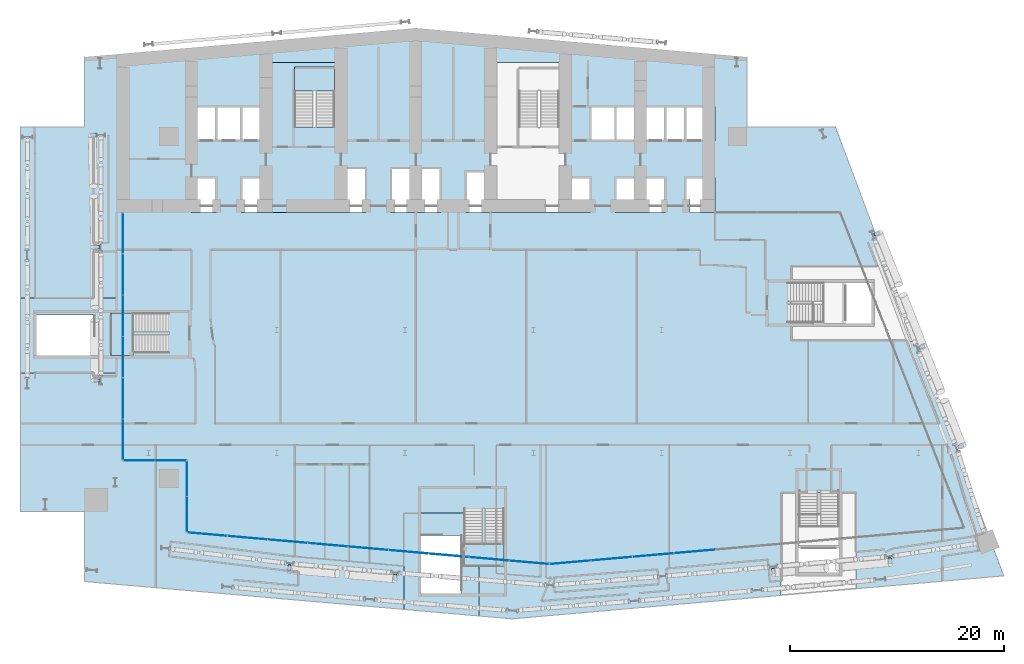
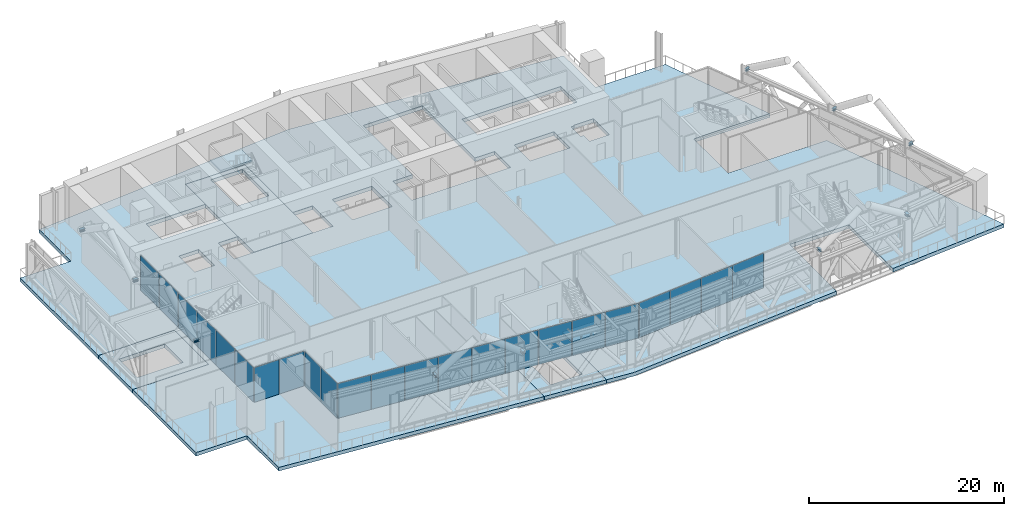
# One storey, part 13 of 39: 23 plates, 10 members, 7 slabs, 8 elements without a shape of their own.
"""IFC4 building model written with IfcOpenShell, lengths in metres."""

from ifc_helpers import new_model, si_unit, direction, frame, origin, origin_2d, place, context, subcontext, project, spatial, polyline, rectangle, i_section, outline, extrude, material, layer, layer_set, material_profile, profile_set, type_object, element, aggregate, save


model = new_model("IFC4")

# Units and contexts
model_context = context("Model", 3, precision=1e-05, world=origin(), true_north=direction((0.0, 1.0)))
body_context = subcontext(model_context, "Body", "Model", "MODEL_VIEW")
ifc_project = project(units=[si_unit("LENGTHUNIT", "METRE"), si_unit("AREAUNIT", "SQUARE_METRE"), si_unit("VOLUMEUNIT", "CUBIC_METRE"), si_unit("PLANEANGLEUNIT", "RADIAN"), si_unit("MASSUNIT", "GRAM", prefix="KILO")], contexts=[model_context])

# Site, building, storey
site_placement = place(None, origin())
site = spatial("IfcSite", under=ifc_project, at=site_placement, CompositionType="ELEMENT")
building_placement = place(site_placement, origin())
building = spatial("IfcBuilding", under=site, at=building_placement, Name="Wharfspan Tower", CompositionType="ELEMENT")
storey_placement = place(building_placement, frame((0.0, 0.0, 91.899902)))
storey = spatial("IfcBuildingStorey", under=building, at=storey_placement, Name="L20", CompositionType="ELEMENT", Elevation=91.899902)

# Members
ifc_material_1 = material(Name="Steel S355J2", Category="steel")
ifc_material_profile = material_profile(ifc_material_1, i_section(OverallWidth=0.300049, OverallDepth=0.300049, WebThickness=0.010986, FlangeThickness=0.019043, FilletRadius=0.0271, at=origin_2d()))
ifc_profile_set = profile_set([ifc_material_profile], Name="Steel S355J2")
member_type = type_object("IfcMemberType", Name="Brace node stub HEB 300", PredefinedType="STRUT", material=ifc_profile_set)
for number, where, z_axis, x_axis, name in (
    (1, (25.200684, 1.000732, 4.100098), (-0.086857, -0.996221, 0.0), (0.996221, -0.086857, 0.0), "Brace node stub L21 S1 A"),
    (2, (35.076172, 0.136719, 4.100098), (-0.086857, -0.996221, 0.0), (0.996221, -0.086857, 0.0), "Brace node stub L21 S1 B"),
    (3, (70.416992, 0.704834, 4.100098), (0.087292, -0.996183, 0.0), (0.996183, 0.087292, 0.0), "Brace node stub L21 S2 A"),
    (4, (81.34082, 1.6604, 4.100098), (0.087292, -0.996183, 0.0), (0.996183, 0.087292, 0.0), "Brace node stub L21 S2 B"),
    (5, (7.391602, 30.733398, 4.100098), (-1.0, 0.0, 0.0), (0.0, -1.0, 0.0), "Brace node stub L21 W A"),
    (6, (7.391602, 18.266602, 4.100098), (-1.0, 0.0, 0.0), (0.0, -1.0, 0.0), "Brace node stub L21 W B"),
    (7, (7.140625, 41.208008, 4.100098), (-1.0, 0.0, 0.0), (0.0, -1.0, 0.0), "Brace node stub L21 W A"),
):
    element("IfcMember", number, at=place(storey_placement, frame(where, z_axis=z_axis, x_axis=x_axis)), inside=storey, type_object=member_type, Name=name, PredefinedType="STRUT", context=body_context, shape_type="SweptSolid", body=[
        extrude(i_section(OverallWidth=0.300049, OverallDepth=0.300049, WebThickness=0.010986, FlangeThickness=0.019043, FilletRadius=0.0271, at=origin_2d()), origin(), (0.0, 0.0, 1.0), 0.556641),
    ])
for number, where, z_axis, x_axis, name in (
    (8, (84.070801, 21.30542, 4.100098), (0.930789, 0.365557, 0.0), (-0.365557, 0.930789, 0.0), "Brace node stub L21 E A"),
    (9, (79.904297, 31.906738, 4.100098), (0.930639, 0.365937, 0.0), (-0.365937, 0.930639, 0.0), "Brace node stub L21 E B"),
):
    element("IfcMember", number, at=place(storey_placement, frame(where, z_axis=z_axis, x_axis=x_axis)), inside=storey, type_object=member_type, Name=name, PredefinedType="STRUT", context=body_context, shape_type="SweptSolid", body=[
        extrude(i_section(OverallWidth=0.300049, OverallDepth=0.300049, WebThickness=0.010986, FlangeThickness=0.019043, FilletRadius=0.0271, at=origin_2d()), origin(), (0.0, 0.0, 1.0), 0.556396),
    ])
member_placement = place(storey_placement, frame((87.725098, 12.006836, 4.100098), z_axis=(0.930698, 0.365788, 0.0), x_axis=(-0.365788, 0.930698, 0.0)))
element("IfcMember", 10, at=member_placement, inside=storey, type_object=member_type, Name="Brace node stub L21 E A", PredefinedType="STRUT", context=body_context, shape_type="SweptSolid", body=[
    extrude(i_section(OverallWidth=0.300049, OverallDepth=0.300049, WebThickness=0.010986, FlangeThickness=0.019043, FilletRadius=0.0271, at=origin_2d()), origin(), (0.0, 0.0, 1.0), 0.556641),
])

# Curtain wall, plates
ifc_material_2 = material(Name="Aluminium 6063-T6", Category="aluminium")
curtain_wall_type = type_object("IfcCurtainWallType", Name="CURTAIN WALL BAND RECESS", PredefinedType="NOTDEFINED", material=ifc_material_2)
curtain_wall_1_placement = place(storey_placement, origin())
curtain_wall_1 = element("IfcCurtainWall", 11, at=curtain_wall_1_placement, inside=storey, type_object=curtain_wall_type, Name="Recess glazing R1", PredefinedType="NOTDEFINED")
ifc_material_3 = material(Name="Glass clear low-iron double glazing", Category="glass")
ifc_layer_1 = layer(ifc_material_3, 0.035889)
ifc_layer_set_1 = layer_set([ifc_layer_1], Name="Glass clear low-iron double glazing")
plate_type = type_object("IfcPlateType", Name="GLASS PANEL BAND RECESS 36", PredefinedType="CURTAIN_PANEL", material=ifc_layer_set_1)
plate_1_placement = place(storey_placement, frame((14.084961, 10.800049, 0.0), z_axis=(0.0, 0.0, 1.0), x_axis=(-1.0, 0.0, 0.0)))
plate_1 = element("IfcPlate", 12, at=plate_1_placement, type_object=plate_type, Name="Recess glazing R1 panel 1", PredefinedType="CURTAIN_PANEL", context=body_context, shape_type="SweptSolid", body=[
    extrude(rectangle(XDim=2.909912, YDim=0.035889, at=origin_2d()), origin(), (0.0, 0.0, 1.0), 4.330078),
])
plate_2_placement = place(storey_placement, frame((11.11499, 10.800049, 0.0), z_axis=(0.0, 0.0, 1.0), x_axis=(-1.0, 0.0, 0.0)))
plate_2 = element("IfcPlate", 13, at=plate_2_placement, type_object=plate_type, Name="Recess glazing R1 panel 2", PredefinedType="CURTAIN_PANEL", context=body_context, shape_type="SweptSolid", body=[
    extrude(rectangle(XDim=2.909912, YDim=0.035889, at=origin_2d()), origin(), (0.0, 0.0, 1.0), 4.330078),
])
aggregate(curtain_wall_1, [plate_1, plate_2])

curtain_wall_2_placement = place(storey_placement, origin())
curtain_wall_2 = element("IfcCurtainWall", 14, at=curtain_wall_2_placement, inside=storey, type_object=curtain_wall_type, Name="Recess glazing R2", PredefinedType="NOTDEFINED")
plate_3_placement = place(storey_placement, frame((9.600098, 12.748291, 0.0), z_axis=(0.0, 0.0, 1.0), x_axis=(0.0, 1.0, 0.0)))
plate_3 = element("IfcPlate", 15, at=plate_3_placement, type_object=plate_type, Name="Recess glazing R2 panel 1", PredefinedType="CURTAIN_PANEL", context=body_context, shape_type="SweptSolid", body=[
    extrude(rectangle(XDim=3.776611, YDim=0.035889, at=origin_2d()), origin(), (0.0, 0.0, 1.0), 4.330078),
])
plate_4_placement = place(storey_placement, frame((9.600098, 16.600098, 0.0), z_axis=(0.0, 0.0, 1.0), x_axis=(0.0, 1.0, 0.0)))
plate_4 = element("IfcPlate", 16, at=plate_4_placement, type_object=plate_type, Name="Recess glazing R2 panel 2", PredefinedType="CURTAIN_PANEL", context=body_context, shape_type="SweptSolid", body=[
    extrude(rectangle(XDim=3.806641, YDim=0.035889, at=origin_2d()), origin(), (0.0, 0.0, 1.0), 4.330078),
])
plate_5_placement = place(storey_placement, frame((9.600098, 20.466553, 0.0), z_axis=(0.0, 0.0, 1.0), x_axis=(0.0, 1.0, 0.0)))
plate_5 = element("IfcPlate", 17, at=plate_5_placement, type_object=plate_type, Name="Recess glazing R2 panel 3", PredefinedType="CURTAIN_PANEL", context=body_context, shape_type="SweptSolid", body=[
    extrude(rectangle(XDim=3.806641, YDim=0.035889, at=origin_2d()), origin(), (0.0, 0.0, 1.0), 4.330078),
])
plate_6_placement = place(storey_placement, frame((9.600098, 24.333252, 0.0), z_axis=(0.0, 0.0, 1.0), x_axis=(0.0, 1.0, 0.0)))
plate_6 = element("IfcPlate", 18, at=plate_6_placement, type_object=plate_type, Name="Recess glazing R2 panel 4", PredefinedType="CURTAIN_PANEL", context=body_context, shape_type="SweptSolid", body=[
    extrude(rectangle(XDim=3.806641, YDim=0.035889, at=origin_2d()), origin(), (0.0, 0.0, 1.0), 4.330078),
])
plate_7_placement = place(storey_placement, frame((9.600098, 28.199951, 0.0), z_axis=(0.0, 0.0, 1.0), x_axis=(0.0, 1.0, 0.0)))
plate_7 = element("IfcPlate", 19, at=plate_7_placement, type_object=plate_type, Name="Recess glazing R2 panel 5", PredefinedType="CURTAIN_PANEL", context=body_context, shape_type="SweptSolid", body=[
    extrude(rectangle(XDim=3.806641, YDim=0.035889, at=origin_2d()), origin(), (0.0, 0.0, 1.0), 4.330078),
])
plate_8_placement = place(storey_placement, frame((9.600098, 32.051758, 0.0), z_axis=(0.0, 0.0, 1.0), x_axis=(0.0, 1.0, 0.0)))
plate_8 = element("IfcPlate", 20, at=plate_8_placement, type_object=plate_type, Name="Recess glazing R2 panel 6", PredefinedType="CURTAIN_PANEL", context=body_context, shape_type="SweptSolid", body=[
    extrude(rectangle(XDim=3.776611, YDim=0.035889, at=origin_2d()), origin(), (0.0, 0.0, 1.0), 4.330078),
])
aggregate(curtain_wall_2, [plate_3, plate_4, plate_5, plate_6, plate_7, plate_8])

curtain_wall_3_placement = place(storey_placement, origin())
curtain_wall_3 = element("IfcCurtainWall", 21, at=curtain_wall_3_placement, inside=storey, type_object=curtain_wall_type, Name="Recess glazing R5", PredefinedType="NOTDEFINED")
plate_9_placement = place(storey_placement, frame((63.082764, 2.280029, 0.0), z_axis=(0.0, 0.0, 1.0), x_axis=(-0.996198, -0.087156, 0.0)))
plate_9 = element("IfcPlate", 22, at=plate_9_placement, type_object=plate_type, Name="Recess glazing R5 panel 7", PredefinedType="CURTAIN_PANEL", context=body_context, shape_type="SweptSolid", body=[
    extrude(rectangle(XDim=3.835693, YDim=0.035889, at=origin_2d()), origin(), (0.0, 0.0, 1.0), 4.330078),
])
plate_10_placement = place(storey_placement, frame((59.201904, 1.94043, 0.0), z_axis=(0.0, 0.0, 1.0), x_axis=(-0.996198, -0.087156, 0.0)))
plate_10 = element("IfcPlate", 23, at=plate_10_placement, type_object=plate_type, Name="Recess glazing R5 panel 8", PredefinedType="CURTAIN_PANEL", context=body_context, shape_type="SweptSolid", body=[
    extrude(rectangle(XDim=3.835693, YDim=0.035889, at=origin_2d()), origin(), (0.0, 0.0, 1.0), 4.330078),
])
plate_11_placement = place(storey_placement, frame((55.321045, 1.60083, 0.0), z_axis=(0.0, 0.0, 1.0), x_axis=(-0.996198, -0.087156, 0.0)))
plate_11 = element("IfcPlate", 24, at=plate_11_placement, type_object=plate_type, Name="Recess glazing R5 panel 9", PredefinedType="CURTAIN_PANEL", context=body_context, shape_type="SweptSolid", body=[
    extrude(rectangle(XDim=3.835693, YDim=0.035889, at=origin_2d()), origin(), (0.0, 0.0, 1.0), 4.330078),
])
plate_12_placement = place(storey_placement, frame((51.455322, 1.262695, 0.0), z_axis=(0.0, 0.0, 1.0), x_axis=(-0.996198, -0.087156, 0.0)))
plate_12 = element("IfcPlate", 25, at=plate_12_placement, type_object=plate_type, Name="Recess glazing R5 panel 10", PredefinedType="CURTAIN_PANEL", context=body_context, shape_type="SweptSolid", body=[
    extrude(rectangle(XDim=3.805664, YDim=0.035889, at=origin_2d()), origin(), (0.0, 0.0, 1.0), 4.330078),
])
aggregate(curtain_wall_3, [plate_9, plate_10, plate_11, plate_12])

curtain_wall_4_placement = place(storey_placement, origin())
curtain_wall_4 = element("IfcCurtainWall", 26, at=curtain_wall_4_placement, inside=storey, type_object=curtain_wall_type, Name="Recess glazing R6", PredefinedType="NOTDEFINED")
plate_13_placement = place(storey_placement, frame((47.601807, 1.257812, 0.0), z_axis=(0.0, 0.0, 1.0), x_axis=(-0.996198, 0.087156, 0.0)))
plate_13 = element("IfcPlate", 27, at=plate_13_placement, type_object=plate_type, Name="Recess glazing R6 panel 1", PredefinedType="CURTAIN_PANEL", context=body_context, shape_type="SweptSolid", body=[
    extrude(rectangle(XDim=3.691162, YDim=0.035889, at=origin_2d()), origin(), (0.0, 0.0, 1.0), 4.330078),
])
plate_14_placement = place(storey_placement, frame((43.850098, 1.585938, 0.0), z_axis=(0.0, 0.0, 1.0), x_axis=(-0.996198, 0.087156, 0.0)))
plate_14 = element("IfcPlate", 28, at=plate_14_placement, type_object=plate_type, Name="Recess glazing R6 panel 2", PredefinedType="CURTAIN_PANEL", context=body_context, shape_type="SweptSolid", body=[
    extrude(rectangle(XDim=3.720947, YDim=0.035889, at=origin_2d()), origin(), (0.0, 0.0, 1.0), 4.330078),
])
plate_15_placement = place(storey_placement, frame((40.083252, 1.915527, 0.0), z_axis=(0.0, 0.0, 1.0), x_axis=(-0.996198, 0.087156, 0.0)))
plate_15 = element("IfcPlate", 29, at=plate_15_placement, type_object=plate_type, Name="Recess glazing R6 panel 3", PredefinedType="CURTAIN_PANEL", context=body_context, shape_type="SweptSolid", body=[
    extrude(rectangle(XDim=3.720947, YDim=0.035889, at=origin_2d()), origin(), (0.0, 0.0, 1.0), 4.330078),
])
plate_16_placement = place(storey_placement, frame((36.31665, 2.245117, 0.0), z_axis=(0.0, 0.0, 1.0), x_axis=(-0.996198, 0.087156, 0.0)))
plate_16 = element("IfcPlate", 30, at=plate_16_placement, type_object=plate_type, Name="Recess glazing R6 panel 4", PredefinedType="CURTAIN_PANEL", context=body_context, shape_type="SweptSolid", body=[
    extrude(rectangle(XDim=3.720947, YDim=0.035889, at=origin_2d()), origin(), (0.0, 0.0, 1.0), 4.330078),
])
plate_17_placement = place(storey_placement, frame((32.550049, 2.574707, 0.0), z_axis=(0.0, 0.0, 1.0), x_axis=(-0.996198, 0.087156, 0.0)))
plate_17 = element("IfcPlate", 31, at=plate_17_placement, type_object=plate_type, Name="Recess glazing R6 panel 5", PredefinedType="CURTAIN_PANEL", context=body_context, shape_type="SweptSolid", body=[
    extrude(rectangle(XDim=3.720947, YDim=0.035889, at=origin_2d()), origin(), (0.0, 0.0, 1.0), 4.330078),
])
plate_18_placement = place(storey_placement, frame((28.783447, 2.904053, 0.0), z_axis=(0.0, 0.0, 1.0), x_axis=(-0.996198, 0.087156, 0.0)))
plate_18 = element("IfcPlate", 32, at=plate_18_placement, type_object=plate_type, Name="Recess glazing R6 panel 6", PredefinedType="CURTAIN_PANEL", context=body_context, shape_type="SweptSolid", body=[
    extrude(rectangle(XDim=3.720947, YDim=0.035889, at=origin_2d()), origin(), (0.0, 0.0, 1.0), 4.330078),
])
plate_19_placement = place(storey_placement, frame((25.016602, 3.233643, 0.0), z_axis=(0.0, 0.0, 1.0), x_axis=(-0.996198, 0.087156, 0.0)))
plate_19 = element("IfcPlate", 33, at=plate_19_placement, type_object=plate_type, Name="Recess glazing R6 panel 7", PredefinedType="CURTAIN_PANEL", context=body_context, shape_type="SweptSolid", body=[
    extrude(rectangle(XDim=3.720947, YDim=0.035889, at=origin_2d()), origin(), (0.0, 0.0, 1.0), 4.330078),
])
plate_20_placement = place(storey_placement, frame((21.25, 3.563232, 0.0), z_axis=(0.0, 0.0, 1.0), x_axis=(-0.996198, 0.087156, 0.0)))
plate_20 = element("IfcPlate", 34, at=plate_20_placement, type_object=plate_type, Name="Recess glazing R6 panel 8", PredefinedType="CURTAIN_PANEL", context=body_context, shape_type="SweptSolid", body=[
    extrude(rectangle(XDim=3.720947, YDim=0.035889, at=origin_2d()), origin(), (0.0, 0.0, 1.0), 4.330078),
])
plate_21_placement = place(storey_placement, frame((17.498291, 3.891357, 0.0), z_axis=(0.0, 0.0, 1.0), x_axis=(-0.996198, 0.087156, 0.0)))
plate_21 = element("IfcPlate", 35, at=plate_21_placement, type_object=plate_type, Name="Recess glazing R6 panel 9", PredefinedType="CURTAIN_PANEL", context=body_context, shape_type="SweptSolid", body=[
    extrude(rectangle(XDim=3.691162, YDim=0.035889, at=origin_2d()), origin(), (0.0, 0.0, 1.0), 4.330078),
])
aggregate(curtain_wall_4, [plate_13, plate_14, plate_15, plate_16, plate_17, plate_18, plate_19, plate_20, plate_21])

curtain_wall_5_placement = place(storey_placement, origin())
curtain_wall_5 = element("IfcCurtainWall", 36, at=curtain_wall_5_placement, inside=storey, type_object=curtain_wall_type, Name="Recess glazing R7", PredefinedType="NOTDEFINED")
plate_22_placement = place(storey_placement, frame((15.600098, 5.758057, 0.0), z_axis=(0.0, 0.0, 1.0), x_axis=(0.0, 1.0, 0.0)))
plate_22 = element("IfcPlate", 37, at=plate_22_placement, type_object=plate_type, Name="Recess glazing R7 panel 1", PredefinedType="CURTAIN_PANEL", context=body_context, shape_type="SweptSolid", body=[
    extrude(rectangle(XDim=3.28125, YDim=0.035889, at=origin_2d()), origin(), (0.0, 0.0, 1.0), 4.330078),
])
plate_23_placement = place(storey_placement, frame((15.600098, 9.099365, 0.0), z_axis=(0.0, 0.0, 1.0), x_axis=(0.0, 1.0, 0.0)))
plate_23 = element("IfcPlate", 38, at=plate_23_placement, type_object=plate_type, Name="Recess glazing R7 panel 2", PredefinedType="CURTAIN_PANEL", context=body_context, shape_type="SweptSolid", body=[
    extrude(rectangle(XDim=3.28125, YDim=0.035889, at=origin_2d()), origin(), (0.0, 0.0, 1.0), 4.330078),
])
aggregate(curtain_wall_5, [plate_22, plate_23])

# Slabs
ifc_material_4 = material(Name="Concrete C40/50", Category="concrete")
ifc_layer_2 = layer(ifc_material_4, 0.449951)
ifc_layer_set_2 = layer_set([ifc_layer_2], Name="Concrete C40/50")
slab_type_1 = type_object("IfcSlabType", Name="Post-tensioned band slab 450", PredefinedType="FLOOR", material=ifc_layer_set_2)
slab_1_placement = place(storey_placement, frame((0.0, 0.0, -0.450195)))
element("IfcSlab", 39, at=slab_1_placement, inside=storey, type_object=slab_type_1, Name="Floor slab L20", PredefinedType="FLOOR", context=body_context, shape_type="SweptSolid", body=[
    extrude(outline(polyline([(35.873291, -3.138428), (35.873291, 5.870605), (42.893311, 5.870605), (42.893311, -3.752686), (46.0, -4.024414), (71.182617, -1.821289), (71.182617, 7.802002), (78.202393, 7.802002), (78.202393, -1.207031), (92.0, 0.0), (83.753662, 21.98999), (72.11499, 21.98999), (72.11499, 29.01001), (81.121338, 29.01001), (76.25, 42.0), (68.0, 42.0), (68.0, 48.524902), (37.0, 51.237061), (6.0, 48.524902), (6.0, 42.0), (0.0, 42.0), (0.0, 26.01001), (9.01001, 26.01001), (9.01001, 18.98999), (0.0, 18.98999), (0.0, 6.0), (6.0, 6.0), (6.0, -0.524902), (35.873291, -3.138428)]), holes=[polyline([(62.290039, 37.159912), (62.656738, 37.159912), (62.656738, 37.26001), (65.01001, 37.26001), (65.01001, 33.98999), (62.656738, 33.98999), (62.656738, 35.189941), (62.290039, 35.189941), (62.290039, 37.159912)]), polyline([(65.01001, 43.909912), (65.01001, 40.689941), (53.323242, 40.689941), (53.323242, 43.909912), (65.01001, 43.909912)]), polyline([(55.656738, 33.98999), (55.656738, 37.26001), (60.343262, 37.26001), (60.343262, 33.98999), (55.656738, 33.98999)]), polyline([(43.98999, 37.860107), (43.98999, 48.01001), (51.01001, 48.01001), (51.01001, 37.26001), (53.343262, 37.26001), (53.343262, 33.98999), (41.656738, 33.98999), (41.656738, 37.860107), (43.98999, 37.860107)]), polyline([(34.656738, 33.98999), (34.656738, 38.159912), (39.343262, 38.159912), (39.343262, 33.98999), (34.656738, 33.98999)]), polyline([(15.98999, 40.689941), (15.98999, 43.909912), (20.656738, 43.909912), (20.676758, 43.909912), (22.98999, 43.909912), (22.98999, 48.01001), (30.01001, 48.01001), (30.01001, 38.159912), (32.343262, 38.159912), (32.343262, 33.98999), (20.656738, 33.98999), (20.656738, 37.26001), (22.98999, 37.26001), (22.98999, 40.689941), (20.676758, 40.689941), (20.656738, 40.689941), (15.98999, 40.689941)]), polyline([(18.343262, 37.26001), (18.343262, 33.98999), (15.98999, 33.98999), (15.98999, 37.26001), (18.343262, 37.26001)])]), origin(), (0.0, 0.0, 1.0), 0.450195),
])
ifc_layer_3 = layer(ifc_material_4, 0.449951)
ifc_layer_set_3 = layer_set([ifc_layer_3], Name="Concrete C40/50")
slab_type_2 = type_object("IfcSlabType", Name="Post-tensioned flat slab 450", PredefinedType="FLOOR", material=ifc_layer_set_3)
slab_2_placement = place(storey_placement, frame((0.0, 0.0, -0.450195)))
element("IfcSlab", 40, at=slab_2_placement, inside=storey, type_object=slab_type_2, Name="Core floor slab L20 part 1", PredefinedType="FLOOR", context=body_context, shape_type="SweptSolid", body=[
    extrude(outline(polyline([(9.008057, 20.524902), (9.008057, 24.875), (9.0, 24.875), (9.0, 26.0), (0.0, 26.0), (0.0, 19.0), (9.0, 19.0), (9.0, 20.324951), (9.0, 20.524902), (9.008057, 20.524902)]), holes=[polyline([(6.9021, 20.625), (6.9021, 20.624756), (6.9021, 20.624512), (6.901855, 20.624512), (6.901855, 20.624268), (6.901855, 20.624023), (6.901611, 20.623779), (6.901611, 20.623779), (6.901367, 20.623535), (6.901367, 20.623535), (6.901123, 20.623291), (6.900879, 20.623291), (6.900879, 20.623291), (6.900635, 20.623047), (6.900391, 20.623047), (6.900146, 20.623047), (6.899902, 20.623047), (1.5, 20.623047), (1.499756, 20.623047), (1.499512, 20.623047), (1.499512, 20.623047), (1.499268, 20.623291), (1.499023, 20.623291), (1.498779, 20.623291), (1.498779, 20.623535), (1.498535, 20.623535), (1.498535, 20.623779), (1.498291, 20.623779), (1.498291, 20.624023), (1.498291, 20.624268), (1.498047, 20.624512), (1.498047, 20.624512), (1.498047, 20.624756), (1.498047, 20.625), (1.498047, 24.375), (1.498047, 24.375244), (1.498047, 24.375488), (1.498047, 24.375488), (1.498291, 24.375732), (1.498291, 24.375977), (1.498291, 24.376221), (1.498535, 24.376221), (1.498535, 24.376465), (1.498779, 24.376465), (1.498779, 24.376709), (1.499023, 24.376709), (1.499268, 24.376709), (1.499512, 24.376953), (1.499512, 24.376953), (1.499756, 24.376953), (1.5, 24.376953), (6.899902, 24.376953), (6.900146, 24.376953), (6.900391, 24.376953), (6.900635, 24.376953), (6.900879, 24.376709), (6.900879, 24.376709), (6.901123, 24.376709), (6.901367, 24.376465), (6.901367, 24.376465), (6.901611, 24.376221), (6.901611, 24.376221), (6.901855, 24.375977), (6.901855, 24.375732), (6.901855, 24.375488), (6.9021, 24.375488), (6.9021, 24.375244), (6.9021, 24.375), (6.9021, 20.625)])]), origin(), (0.0, 0.0, 1.0), 0.450195),
])
slab_3_placement = place(storey_placement, frame((0.0, 0.0, -0.450195)))
element("IfcSlab", 41, at=slab_3_placement, inside=storey, type_object=slab_type_2, Name="Core floor slab L20 part 2", PredefinedType="FLOOR", context=body_context, shape_type="SweptSolid", body=[
    extrude(outline(polyline([(20.664795, 34.0), (20.664795, 37.25), (20.664795, 37.250244), (20.664795, 37.250488), (20.664795, 37.250488), (20.664795, 37.250732), (20.664795, 37.250977), (20.665039, 37.251221), (20.665039, 37.251221), (20.665283, 37.251465), (20.665283, 37.251465), (20.665527, 37.251709), (20.665771, 37.251709), (20.666016, 37.251709), (20.666016, 37.251953), (20.66626, 37.251953), (20.666504, 37.251953), (20.666748, 37.251953), (23.0, 37.251953), (23.000244, 37.251953), (23.000488, 37.251953), (23.000488, 37.251953), (23.000732, 37.251709), (23.000977, 37.251709), (23.001221, 37.251709), (23.001221, 37.251465), (23.001465, 37.251465), (23.001465, 37.251221), (23.001709, 37.251221), (23.001709, 37.250977), (23.001709, 37.250732), (23.001953, 37.250488), (23.001953, 37.250488), (23.001953, 37.250244), (23.001953, 37.25), (23.001953, 34.0), (29.998047, 34.0), (29.998047, 38.149902), (29.998047, 38.150146), (29.998047, 38.150391), (29.998047, 38.150635), (29.998291, 38.150879), (29.998291, 38.150879), (29.998291, 38.151123), (29.998535, 38.151367), (29.998535, 38.151367), (29.998779, 38.151611), (29.998779, 38.151611), (29.999023, 38.151855), (29.999268, 38.151855), (29.999512, 38.151855), (29.999512, 38.1521), (29.999756, 38.1521), (30.0, 38.1521), (32.333252, 38.1521), (32.333496, 38.1521), (32.33374, 38.1521), (32.333984, 38.151855), (32.333984, 38.151855), (32.334229, 38.151855), (32.334473, 38.151611), (32.334717, 38.151611), (32.334717, 38.151367), (32.334961, 38.151367), (32.334961, 38.151123), (32.335205, 38.150879), (32.335205, 38.150879), (32.335205, 38.150635), (32.335205, 38.150391), (32.335205, 38.150146), (32.335205, 38.149902), (32.335205, 34.0), (32.341309, 34.0), (32.341309, 38.157959), (30.01001, 38.157959), (30.009766, 38.157959), (30.009521, 38.157959), (30.009521, 38.158203), (30.009277, 38.158203), (30.009033, 38.158203), (30.008789, 38.158203), (30.008789, 38.158447), (30.008545, 38.158691), (30.008545, 38.158691), (30.008301, 38.158936), (30.008301, 38.15918), (30.008301, 38.15918), (30.008057, 38.159424), (30.008057, 38.159668), (30.008057, 38.159912), (30.008057, 38.159912), (30.008057, 48.008057), (22.991943, 48.008057), (22.991943, 43.909912), (22.991943, 43.909912), (22.991943, 43.909668), (22.991943, 43.909424), (22.991699, 43.90918), (22.991699, 43.90918), (22.991699, 43.908936), (22.991455, 43.908691), (22.991455, 43.908691), (22.991211, 43.908447), (22.991211, 43.908203), (22.990967, 43.908203), (22.990723, 43.908203), (22.990479, 43.908203), (22.990479, 43.907959), (22.990234, 43.907959), (22.98999, 43.907959), (15.991943, 43.907959), (15.991943, 40.691895), (22.98999, 40.691895), (22.990234, 40.691895), (22.990479, 40.691895), (22.990479, 40.691895), (22.990723, 40.691895), (22.990967, 40.691895), (22.991211, 40.69165), (22.991211, 40.691406), (22.991455, 40.691406), (22.991455, 40.691406), (22.991699, 40.691162), (22.991699, 40.690918), (22.991699, 40.690918), (22.991943, 40.690674), (22.991943, 40.69043), (22.991943, 40.690186), (22.991943, 40.689941), (22.991943, 37.26001), (22.991943, 37.259766), (22.991943, 37.259521), (22.991943, 37.259521), (22.991699, 37.259277), (22.991699, 37.259033), (22.991699, 37.258789), (22.991455, 37.258789), (22.991455, 37.258545), (22.991211, 37.258545), (22.991211, 37.258301), (22.990967, 37.258301), (22.990723, 37.258301), (22.990479, 37.258057), (22.990479, 37.258057), (22.990234, 37.258057), (22.98999, 37.258057), (20.658691, 37.258057), (20.658691, 34.0), (20.664795, 34.0)]), holes=[polyline([(29.4021, 42.0), (29.4021, 41.999756), (29.4021, 41.999512), (29.401855, 41.999512), (29.401855, 41.999268), (29.401855, 41.999023), (29.401611, 41.998779), (29.401611, 41.998779), (29.401367, 41.998535), (29.401367, 41.998535), (29.401123, 41.998291), (29.400879, 41.998291), (29.400879, 41.998291), (29.400635, 41.998047), (29.400391, 41.998047), (29.400146, 41.998047), (29.399902, 41.998047), (25.649902, 41.998047), (25.649902, 41.998047), (25.649658, 41.998047), (25.649414, 41.998047), (25.64917, 41.998291), (25.64917, 41.998291), (25.648926, 41.998291), (25.648682, 41.998535), (25.648682, 41.998535), (25.648438, 41.998779), (25.648193, 41.998779), (25.648193, 41.999023), (25.648193, 41.999268), (25.648193, 41.999512), (25.647949, 41.999512), (25.647949, 41.999756), (25.647949, 42.0), (25.647949, 47.399902), (25.647949, 47.400146), (25.647949, 47.400391), (25.648193, 47.400635), (25.648193, 47.400879), (25.648193, 47.400879), (25.648193, 47.401123), (25.648438, 47.401367), (25.648682, 47.401367), (25.648682, 47.401611), (25.648926, 47.401611), (25.64917, 47.401855), (25.64917, 47.401855), (25.649414, 47.401855), (25.649658, 47.4021), (25.649902, 47.4021), (25.649902, 47.4021), (29.399902, 47.4021), (29.400146, 47.4021), (29.400391, 47.4021), (29.400635, 47.401855), (29.400879, 47.401855), (29.400879, 47.401855), (29.401123, 47.401611), (29.401367, 47.401611), (29.401367, 47.401367), (29.401611, 47.401367), (29.401611, 47.401123), (29.401855, 47.400879), (29.401855, 47.400879), (29.401855, 47.400635), (29.4021, 47.400391), (29.4021, 47.400146), (29.4021, 47.399902), (29.4021, 42.0)]), polyline([(16.0, 40.697998), (15.999756, 40.697998), (15.999512, 40.697998), (15.999512, 40.697998), (15.999268, 40.698242), (15.999023, 40.698242), (15.998779, 40.698242), (15.998779, 40.698486), (15.998535, 40.698486), (15.998535, 40.69873), (15.998291, 40.698975), (15.998291, 40.699219), (15.998291, 40.699219), (15.998047, 40.699463), (15.998047, 40.699707), (15.998047, 40.699707), (15.998047, 40.699951), (15.998047, 43.899902), (15.998047, 43.900146), (15.998047, 43.900391), (15.998047, 43.900635), (15.998291, 43.900879), (15.998291, 43.900879), (15.998291, 43.901123), (15.998535, 43.901367), (15.998535, 43.901367), (15.998779, 43.901611), (15.998779, 43.901611), (15.999023, 43.901855), (15.999268, 43.901855), (15.999512, 43.901855), (15.999512, 43.9021), (15.999756, 43.9021), (16.0, 43.9021), (20.666748, 43.9021), (20.666748, 43.9021), (23.0, 43.9021), (23.000244, 43.9021), (23.000488, 43.9021), (23.000488, 43.901855), (23.000732, 43.901855), (23.000977, 43.901855), (23.001221, 43.901611), (23.001221, 43.901611), (23.001465, 43.901367), (23.001465, 43.901367), (23.001709, 43.901123), (23.001709, 43.900879), (23.001709, 43.900879), (23.001953, 43.900635), (23.001953, 43.900391), (23.001953, 43.900146), (23.001953, 43.899902), (23.001953, 40.699951), (23.001953, 40.699707), (23.001953, 40.699707), (23.001953, 40.699463), (23.001709, 40.699219), (23.001709, 40.699219), (23.001709, 40.698975), (23.001465, 40.69873), (23.001465, 40.698486), (23.001221, 40.698486), (23.001221, 40.698242), (23.000977, 40.698242), (23.000732, 40.698242), (23.000488, 40.697998), (23.000488, 40.697998), (23.000244, 40.697998), (23.0, 40.697998), (20.666748, 40.697998), (20.666748, 40.697998), (16.0, 40.697998)])]), origin(), (0.0, 0.0, 1.0), 0.450195),
])
slab_4_placement = place(storey_placement, frame((0.0, 0.0, -0.450195)))
element("IfcSlab", 42, at=slab_4_placement, inside=storey, type_object=slab_type_2, Name="Core floor slab L20 part 3", PredefinedType="FLOOR", context=body_context, shape_type="SweptSolid", body=[
    extrude(outline(polyline([(42.891357, 0.616943), (42.891357, 5.868652), (41.185303, 5.868652), (41.185303, 5.860596), (37.208252, 5.860596), (35.883301, 5.860596), (35.883301, -3.139404), (42.883301, -3.751709), (42.883301, 0.616943), (42.891357, 0.616943)]), holes=[polyline([(37.506348, 3.760498), (37.506348, 3.760742), (37.506348, 3.760986), (37.506348, 3.76123), (37.506592, 3.761475), (37.506592, 3.761719), (37.506592, 3.761719), (37.506836, 3.761963), (37.506836, 3.761963), (37.50708, 3.762207), (37.50708, 3.762207), (37.507324, 3.762451), (37.507568, 3.762451), (37.507812, 3.762451), (37.507812, 3.762695), (37.508057, 3.762695), (37.508301, 3.762695), (41.258301, 3.762695), (41.258545, 3.762695), (41.258789, 3.762695), (41.258789, 3.762451), (41.259033, 3.762451), (41.259277, 3.762451), (41.259521, 3.762207), (41.259521, 3.762207), (41.259766, 3.761963), (41.26001, 3.761963), (41.26001, 3.761719), (41.26001, 3.761719), (41.260254, 3.761475), (41.260254, 3.76123), (41.260254, 3.760986), (41.260254, 3.760742), (41.260254, 3.760498), (41.260254, -1.639404), (41.260254, -1.639648), (41.260254, -1.639893), (41.260254, -1.639893), (41.260254, -1.640137), (41.26001, -1.640381), (41.26001, -1.640381), (41.26001, -1.640625), (41.259766, -1.640869), (41.259521, -1.640869), (41.259521, -1.641113), (41.259277, -1.641113), (41.259033, -1.641113), (41.258789, -1.641357), (41.258789, -1.641357), (41.258545, -1.641357), (41.258301, -1.641357), (37.508301, -1.641357), (37.508057, -1.641357), (37.507812, -1.641357), (37.507812, -1.641357), (37.507568, -1.641113), (37.507324, -1.641113), (37.50708, -1.641113), (37.50708, -1.640869), (37.506836, -1.640869), (37.506836, -1.640625), (37.506592, -1.640381), (37.506592, -1.640381), (37.506592, -1.640137), (37.506348, -1.639893), (37.506348, -1.639893), (37.506348, -1.639648), (37.506348, -1.639404), (37.506348, 3.760498)])]), origin(), (0.0, 0.0, 1.0), 0.450195),
])

# Stair, slab
stair_type = type_object("IfcStairType", Name="Half-turn stair 26 risers 185 mm", PredefinedType="HALF_TURN_STAIR", material=ifc_material_4)
stair_1_placement = place(storey_placement, origin())
stair_1 = element("IfcStair", 43, at=stair_1_placement, inside=storey, type_object=stair_type, Name="L20 stair ST1", PredefinedType="HALF_TURN_STAIR")
ifc_layer_4 = layer(ifc_material_4, 0.199951)
ifc_layer_set_4 = layer_set([ifc_layer_4], Name="Concrete C40/50")
slab_type_3 = type_object("IfcSlabType", Name="Stair landing 200", PredefinedType="LANDING", material=ifc_layer_set_4)
slab_5_placement = place(storey_placement, frame((0.0, 0.0, 2.199951)))
slab_5 = element("IfcSlab", 44, at=slab_5_placement, type_object=slab_type_3, Name="ST1 landing 1", PredefinedType="LANDING", context=body_context, shape_type="SweptSolid", body=[
    extrude(outline(polyline([(25.649902, 45.360107), (29.399902, 45.360107), (29.399902, 47.582764), (25.649902, 47.582764), (25.649902, 45.360107)])), origin(), (0.0, 0.0, 1.0), 0.200195),
])
aggregate(stair_1, [slab_5])

stair_2_placement = place(storey_placement, origin())
stair_2 = element("IfcStair", 45, at=stair_2_placement, inside=storey, type_object=stair_type, Name="L20 stair ST3", PredefinedType="HALF_TURN_STAIR")
slab_6_placement = place(storey_placement, frame((0.0, 0.0, 2.199951)))
slab_6 = element("IfcSlab", 46, at=slab_6_placement, type_object=slab_type_3, Name="ST3 landing 1", PredefinedType="LANDING", context=body_context, shape_type="SweptSolid", body=[
    extrude(outline(polyline([(8.5, 20.625), (10.540039, 20.625), (10.540039, 24.574951), (8.5, 24.574951), (8.5, 20.625)])), origin(), (0.0, 0.0, 1.0), 0.200195),
])
aggregate(stair_2, [slab_6])

stair_3_placement = place(storey_placement, origin())
stair_3 = element("IfcStair", 47, at=stair_3_placement, inside=storey, type_object=stair_type, Name="L20 stair ST4", PredefinedType="HALF_TURN_STAIR")
slab_7_placement = place(storey_placement, frame((0.0, 0.0, 2.199951)))
slab_7 = element("IfcSlab", 48, at=slab_7_placement, type_object=slab_type_3, Name="ST4 landing 1", PredefinedType="LANDING", context=body_context, shape_type="SweptSolid", body=[
    extrude(outline(polyline([(41.485352, 2.957031), (41.485352, 0.916992), (45.235352, 0.916992), (45.235352, 2.957031), (41.485352, 2.957031)])), origin(), (0.0, 0.0, 1.0), 0.200195),
])
aggregate(stair_3, [slab_7])

save(model, "model.ifc")
